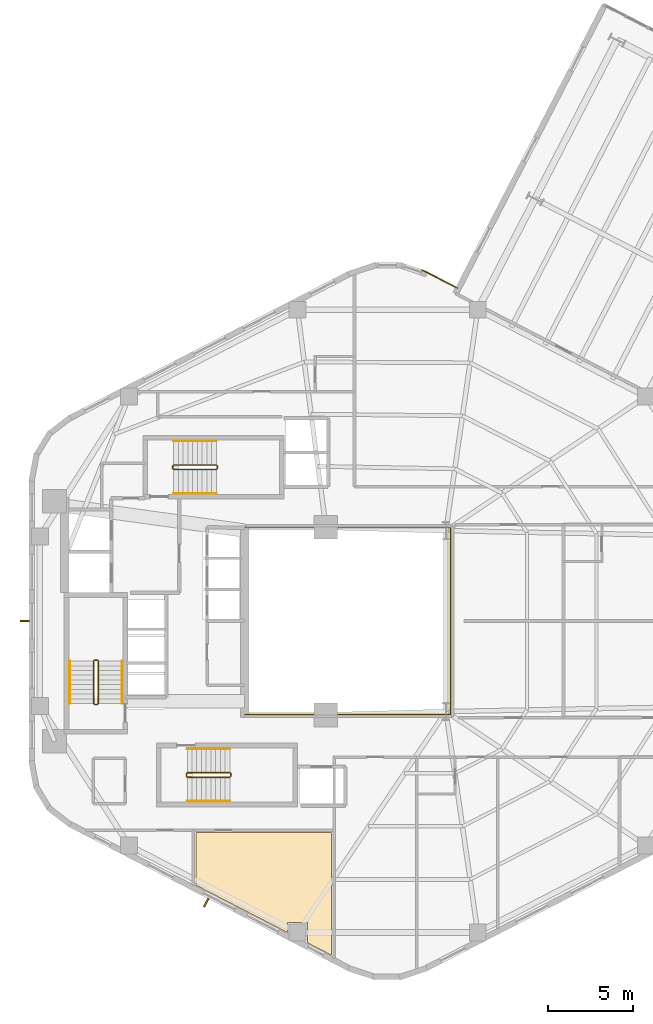
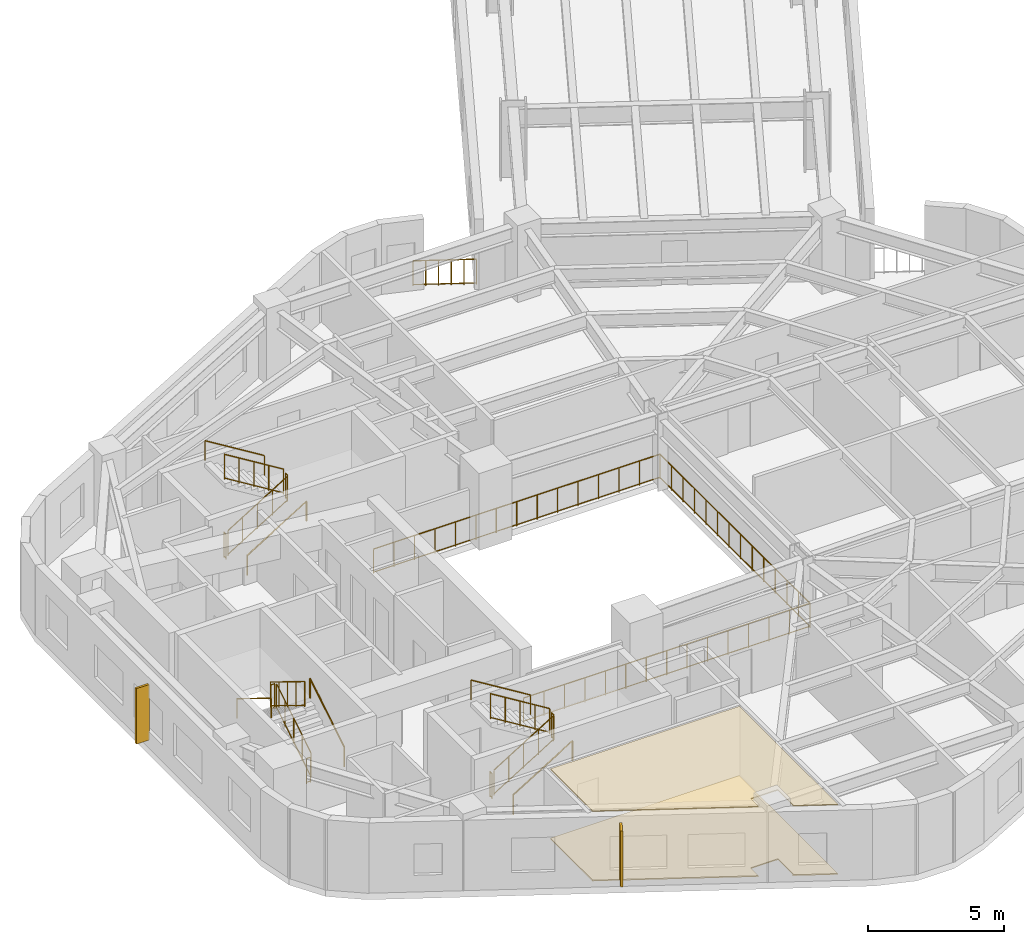
# One storey, part 9 of 10: 20 railings, 2 coverings, 2 shading devices.
"""IFC4 building model written with IfcOpenShell, lengths in metres."""

from ifc_helpers import new_model, si_unit, direction, frame, origin, origin_2d, place, context, subcontext, project, spatial, polyline, rectangle, circle, outline, extrude, material, layer, layer_set, type_object, element, save


model = new_model("IFC4")

# Units and contexts
model_context = context("Model", 3, precision=1e-05, world=origin(), true_north=direction((0.0, 1.0)))
body_context = subcontext(model_context, "Body", "Model", "MODEL_VIEW")
ifc_project = project(units=[si_unit("LENGTHUNIT", "METRE"), si_unit("AREAUNIT", "SQUARE_METRE"), si_unit("VOLUMEUNIT", "CUBIC_METRE"), si_unit("PLANEANGLEUNIT", "RADIAN"), si_unit("MASSUNIT", "GRAM", prefix="KILO"), si_unit("THERMODYNAMICTEMPERATUREUNIT", "KELVIN"), si_unit("POWERUNIT", "WATT")], contexts=[model_context])

# Site, building, storey
site_placement = place(None, origin())
site = spatial("IfcSite", under=ifc_project, at=site_placement, CompositionType="ELEMENT")
building_placement = place(site_placement, origin())
building = spatial("IfcBuilding", under=site, at=building_placement, Name="Skarre Station Tower", CompositionType="ELEMENT")
storey_placement = place(building_placement, frame((0.0, 0.0, 115.35009765625)))
storey = spatial("IfcBuildingStorey", under=building, at=storey_placement, Name="L30", CompositionType="ELEMENT", Elevation=115.35009765625)

# Railing
ifc_material_1 = material(Name="Bronze Anodized Steel & Laminated Glass Balustrade", Category="steel")
railing_type_1 = type_object("IfcRailingType", Name="Atrium Void & Mezzanine Guard Balustrade 1120", PredefinedType="GUARDRAIL", material=ifc_material_1)
railing_1_placement = place(storey_placement, frame((27.550048828125, 18.47998046875, 0.0)))
element("IfcRailing", 1, at=railing_1_placement, inside=storey, type_object=railing_type_1, Name="L30 Atrium Void Guard Balustrade", PredefinedType="GUARDRAIL", context=body_context, shape_type="SweptSolid", body=[
    extrude(circle(Radius=0.02392578125, at=origin_2d()), frame((0.0, 0.0, 1.09619140625), z_axis=(1.0, 0.0, 0.0), x_axis=(0.0, 1.0, 0.0)), (0.0, 0.0, 1.0), 12.169921875),
    extrude(circle(Radius=0.02099609375, at=origin_2d()), frame((0.0, 0.0, 0.06005859375), z_axis=(1.0, 0.0, 0.0), x_axis=(0.0, 1.0, 0.0)), (0.0, 0.0, 1.0), 12.169921875),
    extrude(circle(Radius=0.02392578125, at=origin_2d()), frame((12.169921875, 0.0, 1.09619140625), z_axis=(0.0, 1.0, 0.0), x_axis=(-1.0, 0.0, 0.0)), (0.0, 0.0, 1.0), 11.0400390625),
    extrude(circle(Radius=0.02099609375, at=origin_2d()), frame((12.169921875, 0.0, 0.06005859375), z_axis=(0.0, 1.0, 0.0), x_axis=(-1.0, 0.0, 0.0)), (0.0, 0.0, 1.0), 11.0400390625),
    extrude(circle(Radius=0.02392578125, at=origin_2d()), frame((12.169921875, 11.0400390625, 1.09619140625), z_axis=(-1.0, 0.0, 0.0), x_axis=(0.0, -1.0, 0.0)), (0.0, 0.0, 1.0), 12.169921875),
    extrude(circle(Radius=0.02099609375, at=origin_2d()), frame((12.169921875, 11.0400390625, 0.06005859375), z_axis=(-1.0, 0.0, 0.0), x_axis=(0.0, -1.0, 0.0)), (0.0, 0.0, 1.0), 12.169921875),
    extrude(circle(Radius=0.02099609375, at=origin_2d()), origin(), (0.0, 0.0, 1.0), 1.072021484375),
    extrude(circle(Radius=0.02099609375, at=origin_2d()), frame((0.869384765625, 0.0, 0.0)), (0.0, 0.0, 1.0), 1.072021484375),
    extrude(circle(Radius=0.02099609375, at=origin_2d()), frame((1.738525390625, 0.0, 0.0)), (0.0, 0.0, 1.0), 1.072021484375),
    extrude(circle(Radius=0.02099609375, at=origin_2d()), frame((2.60791015625, 0.0, 0.0)), (0.0, 0.0, 1.0), 1.072021484375),
    extrude(circle(Radius=0.02099609375, at=origin_2d()), frame((3.47705078125, 0.0, 0.0)), (0.0, 0.0, 1.0), 1.072021484375),
    extrude(circle(Radius=0.02099609375, at=origin_2d()), frame((4.346435546875, 0.0, 0.0)), (0.0, 0.0, 1.0), 1.072021484375),
    extrude(circle(Radius=0.02099609375, at=origin_2d()), frame((5.215576171875, 0.0, 0.0)), (0.0, 0.0, 1.0), 1.072021484375),
    extrude(circle(Radius=0.02099609375, at=origin_2d()), frame((6.0849609375, 0.0, 0.0)), (0.0, 0.0, 1.0), 1.072021484375),
    extrude(circle(Radius=0.02099609375, at=origin_2d()), frame((6.954345703125, 0.0, 0.0)), (0.0, 0.0, 1.0), 1.072021484375),
    extrude(circle(Radius=0.02099609375, at=origin_2d()), frame((7.823486328125, 0.0, 0.0)), (0.0, 0.0, 1.0), 1.072021484375),
    extrude(circle(Radius=0.02099609375, at=origin_2d()), frame((8.69287109375, 0.0, 0.0)), (0.0, 0.0, 1.0), 1.072021484375),
    extrude(circle(Radius=0.02099609375, at=origin_2d()), frame((9.56201171875, 0.0, 0.0)), (0.0, 0.0, 1.0), 1.072021484375),
    extrude(circle(Radius=0.02099609375, at=origin_2d()), frame((10.431396484375, 0.0, 0.0)), (0.0, 0.0, 1.0), 1.072021484375),
    extrude(circle(Radius=0.02099609375, at=origin_2d()), frame((11.300537109375, 0.0, 0.0)), (0.0, 0.0, 1.0), 1.072021484375),
    extrude(circle(Radius=0.02099609375, at=origin_2d()), frame((12.169921875, 0.0, 0.0)), (0.0, 0.0, 1.0), 1.072021484375),
    extrude(circle(Radius=0.02099609375, at=origin_2d()), frame((12.169921875, 0.84912109375, 0.0)), (0.0, 0.0, 1.0), 1.072021484375),
    extrude(circle(Radius=0.02099609375, at=origin_2d()), frame((12.169921875, 1.698486328125, 0.0)), (0.0, 0.0, 1.0), 1.072021484375),
    extrude(circle(Radius=0.02099609375, at=origin_2d()), frame((12.169921875, 2.547607421875, 0.0)), (0.0, 0.0, 1.0), 1.072021484375),
    extrude(circle(Radius=0.02099609375, at=origin_2d()), frame((12.169921875, 3.39697265625, 0.0)), (0.0, 0.0, 1.0), 1.072021484375),
    extrude(circle(Radius=0.02099609375, at=origin_2d()), frame((12.169921875, 4.24609375, 0.0)), (0.0, 0.0, 1.0), 1.072021484375),
    extrude(circle(Radius=0.02099609375, at=origin_2d()), frame((12.169921875, 5.095458984375, 0.0)), (0.0, 0.0, 1.0), 1.072021484375),
    extrude(circle(Radius=0.02099609375, at=origin_2d()), frame((12.169921875, 5.944580078125, 0.0)), (0.0, 0.0, 1.0), 1.072021484375),
    extrude(circle(Radius=0.02099609375, at=origin_2d()), frame((12.169921875, 6.7939453125, 0.0)), (0.0, 0.0, 1.0), 1.072021484375),
    extrude(circle(Radius=0.02099609375, at=origin_2d()), frame((12.169921875, 7.64306640625, 0.0)), (0.0, 0.0, 1.0), 1.072021484375),
    extrude(circle(Radius=0.02099609375, at=origin_2d()), frame((12.169921875, 8.492431640625, 0.0)), (0.0, 0.0, 1.0), 1.072021484375),
    extrude(circle(Radius=0.02099609375, at=origin_2d()), frame((12.169921875, 9.341552734375, 0.0)), (0.0, 0.0, 1.0), 1.072021484375),
    extrude(circle(Radius=0.02099609375, at=origin_2d()), frame((12.169921875, 10.19091796875, 0.0)), (0.0, 0.0, 1.0), 1.072021484375),
    extrude(circle(Radius=0.02099609375, at=origin_2d()), frame((12.169921875, 11.0400390625, 0.0)), (0.0, 0.0, 1.0), 1.072021484375),
    extrude(circle(Radius=0.02099609375, at=origin_2d()), frame((11.300537109375, 11.0400390625, 0.0)), (0.0, 0.0, 1.0), 1.072021484375),
    extrude(circle(Radius=0.02099609375, at=origin_2d()), frame((10.431396484375, 11.0400390625, 0.0)), (0.0, 0.0, 1.0), 1.072021484375),
    extrude(circle(Radius=0.02099609375, at=origin_2d()), frame((9.56201171875, 11.0400390625, 0.0)), (0.0, 0.0, 1.0), 1.072021484375),
    extrude(circle(Radius=0.02099609375, at=origin_2d()), frame((8.69287109375, 11.0400390625, 0.0)), (0.0, 0.0, 1.0), 1.072021484375),
    extrude(circle(Radius=0.02099609375, at=origin_2d()), frame((7.823486328125, 11.0400390625, 0.0)), (0.0, 0.0, 1.0), 1.072021484375),
    extrude(circle(Radius=0.02099609375, at=origin_2d()), frame((6.954345703125, 11.0400390625, 0.0)), (0.0, 0.0, 1.0), 1.072021484375),
    extrude(circle(Radius=0.02099609375, at=origin_2d()), frame((6.0849609375, 11.0400390625, 0.0)), (0.0, 0.0, 1.0), 1.072021484375),
    extrude(circle(Radius=0.02099609375, at=origin_2d()), frame((5.215576171875, 11.0400390625, 0.0)), (0.0, 0.0, 1.0), 1.072021484375),
    extrude(circle(Radius=0.02099609375, at=origin_2d()), frame((4.346435546875, 11.0400390625, 0.0)), (0.0, 0.0, 1.0), 1.072021484375),
    extrude(circle(Radius=0.02099609375, at=origin_2d()), frame((3.47705078125, 11.0400390625, 0.0)), (0.0, 0.0, 1.0), 1.072021484375),
    extrude(circle(Radius=0.02099609375, at=origin_2d()), frame((2.60791015625, 11.0400390625, 0.0)), (0.0, 0.0, 1.0), 1.072021484375),
    extrude(circle(Radius=0.02099609375, at=origin_2d()), frame((1.738525390625, 11.0400390625, 0.0)), (0.0, 0.0, 1.0), 1.072021484375),
    extrude(circle(Radius=0.02099609375, at=origin_2d()), frame((0.869384765625, 11.0400390625, 0.0)), (0.0, 0.0, 1.0), 1.072021484375),
    extrude(circle(Radius=0.02099609375, at=origin_2d()), frame((0.0, 11.0400390625, 0.0)), (0.0, 0.0, 1.0), 1.072021484375),
])

# Covering
ifc_material_2 = material(Name="Honed Jura Limestone & Calcium-Sulfate Access Tile", Category="masonry")
ifc_layer_1 = layer(ifc_material_2, 0.050048828125, Name="Honed Jura Limestone & Calcium-Sulfate Access Tile")
ifc_layer_set_1 = layer_set([ifc_layer_1], Name="Honed Jura Limestone & Calcium-Sulfate Access Tile")
covering_type_1 = type_object("IfcCoveringType", Name="Honed Limestone & Raised Access Floor Finish 50", PredefinedType="FLOORING", material=ifc_layer_set_1)
covering_1_placement = place(storey_placement, origin())
element("IfcCovering", 2, at=covering_1_placement, inside=storey, type_object=covering_type_1, Name="L30 Limestone Access Flooring 1", PredefinedType="FLOORING", context=body_context, shape_type="SweptSolid", body=[
    extrude(outline(polyline([(24.659912109375, 8.3798828125), (30.089111328125, 5.577880859375), (30.089111328125, 6.162109375), (31.2490234375, 6.162109375), (31.2490234375, 5.001953125), (31.205078125, 5.001953125), (32.68994140625, 4.235107421875), (32.68994140625, 11.5), (24.659912109375, 11.5), (24.659912109375, 8.3798828125)])), origin(), (0.0, 0.0, 1.0), 0.0498046875),
])

# Railing
ifc_material_3 = material(Name="Stainless Steel Grade 316L & Laminated Safety Glass", Category="steel")
railing_type_2 = type_object("IfcRailingType", Name="Laminated Glass & Stainless Terrace Guardrail 1150", PredefinedType="BALUSTRADE", material=ifc_material_3)
railing_2_placement = place(storey_placement, frame((38.032958984375, 44.77294921875, 0.0)))
element("IfcRailing", 3, at=railing_2_placement, inside=storey, type_object=railing_type_2, Name="L30 SB-2 Shoulder Ledge Guardrail 1", PredefinedType="BALUSTRADE", context=body_context, shape_type="SweptSolid", body=[
    extrude(circle(Radius=0.02392578125, at=origin_2d()), frame((0.0, 0.0, 1.1259765625), z_axis=(0.888564539427, -0.458751631356, 0.0), x_axis=(0.458751631356, 0.888564539427, 0.0)), (0.0, 0.0, 1.0), 2.345458984375),
    extrude(circle(Radius=0.02099609375, at=origin_2d()), frame((0.0, 0.0, 0.06005859375), z_axis=(0.888564539427, -0.458751631356, 0.0), x_axis=(0.458751631356, 0.888564539427, 0.0)), (0.0, 0.0, 1.0), 2.345458984375),
    extrude(circle(Radius=0.02099609375, at=origin_2d()), origin(), (0.0, 0.0, 1.0), 1.101806640625),
    extrude(circle(Radius=0.02099609375, at=origin_2d()), frame((0.416748046875, -0.215087890625, 0.0)), (0.0, 0.0, 1.0), 1.101806640625),
    extrude(circle(Radius=0.02099609375, at=origin_2d()), frame((0.83349609375, -0.430419921875, 0.0)), (0.0, 0.0, 1.0), 1.101806640625),
    extrude(circle(Radius=0.02099609375, at=origin_2d()), frame((1.25048828125, -0.6455078125, 0.0)), (0.0, 0.0, 1.0), 1.101806640625),
    extrude(circle(Radius=0.02099609375, at=origin_2d()), frame((1.667236328125, -0.86083984375, 0.0)), (0.0, 0.0, 1.0), 1.101806640625),
    extrude(circle(Radius=0.02099609375, at=origin_2d()), frame((2.083984375, -1.075927734375, 0.0)), (0.0, 0.0, 1.0), 1.101806640625),
])

# Covering
ifc_material_4 = material(Name="Perforated Nordic Birch Veneer & Mineral Wool", Category="wood")
ifc_layer_2 = layer(ifc_material_4, 0.044921875, Name="Perforated Nordic Birch Veneer & Mineral Wool")
ifc_layer_set_2 = layer_set([ifc_layer_2], Name="Perforated Nordic Birch Veneer & Mineral Wool")
covering_type_2 = type_object("IfcCoveringType", Name="Nordic Birch Slatted Acoustic Suspended Ceiling 45", PredefinedType="CEILING", material=ifc_layer_set_2)
covering_2_placement = place(storey_placement, frame((0.0, 0.0, 3.114990234375)))
element("IfcCovering", 4, at=covering_2_placement, inside=storey, type_object=covering_type_2, Name="L30 Acoustic Birch Ceiling 1", PredefinedType="CEILING", context=body_context, shape_type="SweptSolid", body=[
    extrude(outline(polyline([(24.659912109375, 8.3798828125), (30.089111328125, 5.577880859375), (30.089111328125, 6.162109375), (31.2490234375, 6.162109375), (31.2490234375, 5.001953125), (31.205078125, 5.001953125), (32.68994140625, 4.235107421875), (32.68994140625, 11.5), (24.659912109375, 11.5), (24.659912109375, 8.3798828125)])), origin(), (0.0, 0.0, 1.0), 0.044921875),
])

# Shading devices
ifc_material_5 = material(Name="Bronze Anodized Extruded Aluminium 6063-T6", Category="aluminium")
shading_device_type = type_object("IfcShadingDeviceType", Name="Nordic Bronze Vertical Solar Fin 550x90", PredefinedType="SHUTTER", material=ifc_material_5)
for number, where, z_axis, x_axis, name in (
    (5, (14.531982421875, 24.0, 0.349853515625), (0.0, 0.0, 1.0), (-1.0, 0.0, 0.0), "L30 Facet 2 Bronze Solar Fin"),
    (6, (25.27587890625, 7.35302734375, 0.349853515625), (0.0, 0.0, 1.0), (-0.458649554484, -0.888617232655, 0.0), "L30 Facet 3 Bronze Solar Fin"),
):
    element("IfcShadingDevice", number, at=place(storey_placement, frame(where, z_axis=z_axis, x_axis=x_axis)), inside=storey, type_object=shading_device_type, Name=name, PredefinedType="SHUTTER", context=body_context, shape_type="SweptSolid", body=[
        extrude(rectangle(XDim=0.550048828125, YDim=0.090087890625, at=origin_2d()), origin(), (0.0, 0.0, 1.0), 2.5),
    ])

# Railings
ifc_material_6 = material(Name="Powder-Coated Tubular Steel", Category="steel")
railing_type_3 = type_object("IfcRailingType", Name="Painted Steel Ramp & Stair Handrail 920", PredefinedType="HANDRAIL", material=ifc_material_6)
railing_3_placement = place(storey_placement, frame((20.300048828125, 19.1201171875, 0.17236328125)))
element("IfcRailing", 7, at=railing_3_placement, inside=storey, type_object=railing_type_3, Name="L30 ST-1 stair handrail 1", PredefinedType="HANDRAIL", context=body_context, shape_type="SweptSolid", body=[
    extrude(circle(Radius=0.02392578125, at=origin_2d()), frame((0.0, 0.0, 0.8759765625), z_axis=(0.0, 0.851377800117, 0.52455299205), x_axis=(-1.0, 0.0, 0.0)), (0.0, 0.0, 1.0), 2.959716796875),
    extrude(circle(Radius=0.02099609375, at=origin_2d()), origin(), (0.0, 0.0, 1.0), 0.851806640625),
    extrude(circle(Radius=0.02099609375, at=origin_2d()), frame((0.0, 2.519775390625, 1.552490234375)), (0.0, 0.0, 1.0), 0.851806640625),
])
railing_4_placement = place(storey_placement, frame((17.199951171875, 21.639892578125, 1.8974609375)))
element("IfcRailing", 8, at=railing_4_placement, inside=storey, type_object=railing_type_3, Name="L30 ST-1 stair handrail 2", PredefinedType="HANDRAIL", context=body_context, shape_type="SweptSolid", body=[
    extrude(circle(Radius=0.02392578125, at=origin_2d()), frame((0.0, 0.0, 0.8759765625), z_axis=(0.0, -0.851377800117, 0.52455299205), x_axis=(1.0, 0.0, 0.0)), (0.0, 0.0, 1.0), 2.959716796875),
    extrude(circle(Radius=0.02099609375, at=origin_2d()), origin(), (0.0, 0.0, 1.0), 0.851806640625),
    extrude(circle(Radius=0.02099609375, at=origin_2d()), frame((0.0, -2.519775390625, 1.552490234375)), (0.0, 0.0, 1.0), 0.851806640625),
])
railing_5_placement = place(storey_placement, frame((24.14990234375, 13.35009765625, 0.17236328125)))
element("IfcRailing", 9, at=railing_5_placement, inside=storey, type_object=railing_type_3, Name="L30 ST-2 stair handrail 1", PredefinedType="HANDRAIL", context=body_context, shape_type="SweptSolid", body=[
    extrude(circle(Radius=0.02392578125, at=origin_2d()), frame((0.0, 0.0, 0.8759765625), z_axis=(0.851400495292, 0.0, 0.524516154772), x_axis=(0.0, 1.0, 0.0)), (0.0, 0.0, 1.0), 2.9599609375),
    extrude(circle(Radius=0.02099609375, at=origin_2d()), origin(), (0.0, 0.0, 1.0), 0.851806640625),
    extrude(circle(Radius=0.02099609375, at=origin_2d()), frame((2.52001953125, 0.0, 1.552490234375)), (0.0, 0.0, 1.0), 0.851806640625),
])
railing_6_placement = place(storey_placement, frame((26.669921875, 16.449951171875, 1.8974609375)))
element("IfcRailing", 10, at=railing_6_placement, inside=storey, type_object=railing_type_3, Name="L30 ST-2 stair handrail 2", PredefinedType="HANDRAIL", context=body_context, shape_type="SweptSolid", body=[
    extrude(circle(Radius=0.02392578125, at=origin_2d()), frame((0.0, 0.0, 0.8759765625), z_axis=(-0.851400495292, 0.0, 0.524516154772), x_axis=(0.0, -1.0, 0.0)), (0.0, 0.0, 1.0), 2.9599609375),
    extrude(circle(Radius=0.02099609375, at=origin_2d()), origin(), (0.0, 0.0, 1.0), 0.851806640625),
    extrude(circle(Radius=0.02099609375, at=origin_2d()), frame((-2.52001953125, 0.0, 1.552490234375)), (0.0, 0.0, 1.0), 0.851806640625),
])
railing_7_placement = place(storey_placement, frame((23.35009765625, 31.550048828125, 0.17236328125)))
element("IfcRailing", 11, at=railing_7_placement, inside=storey, type_object=railing_type_3, Name="L30 ST-3 stair handrail 1", PredefinedType="HANDRAIL", context=body_context, shape_type="SweptSolid", body=[
    extrude(circle(Radius=0.02392578125, at=origin_2d()), frame((0.0, 0.0, 0.8759765625), z_axis=(0.851400495292, 0.0, 0.524516154772), x_axis=(0.0, 1.0, 0.0)), (0.0, 0.0, 1.0), 2.9599609375),
    extrude(circle(Radius=0.02099609375, at=origin_2d()), origin(), (0.0, 0.0, 1.0), 0.851806640625),
    extrude(circle(Radius=0.02099609375, at=origin_2d()), frame((2.52001953125, 0.0, 1.552490234375)), (0.0, 0.0, 1.0), 0.851806640625),
])
railing_8_placement = place(storey_placement, frame((25.8701171875, 34.64990234375, 1.8974609375)))
element("IfcRailing", 12, at=railing_8_placement, inside=storey, type_object=railing_type_3, Name="L30 ST-3 stair handrail 2", PredefinedType="HANDRAIL", context=body_context, shape_type="SweptSolid", body=[
    extrude(circle(Radius=0.02392578125, at=origin_2d()), frame((0.0, 0.0, 0.8759765625), z_axis=(-0.851400495292, 0.0, 0.524516154772), x_axis=(0.0, -1.0, 0.0)), (0.0, 0.0, 1.0), 2.9599609375),
    extrude(circle(Radius=0.02099609375, at=origin_2d()), origin(), (0.0, 0.0, 1.0), 0.851806640625),
    extrude(circle(Radius=0.02099609375, at=origin_2d()), frame((-2.52001953125, 0.0, 1.552490234375)), (0.0, 0.0, 1.0), 0.851806640625),
])
railing_type_4 = type_object("IfcRailingType", Name="Painted Steel Stairwell Guardrail 1100", PredefinedType="GUARDRAIL", material=ifc_material_6)
railing_9_placement = place(storey_placement, frame((18.8798828125, 19.1201171875, 0.17236328125)))
element("IfcRailing", 13, at=railing_9_placement, inside=storey, type_object=railing_type_4, Name="L30 ST-1 stair guard 1", PredefinedType="GUARDRAIL", context=body_context, shape_type="SweptSolid", body=[
    extrude(circle(Radius=0.02392578125, at=origin_2d()), frame((0.0, 0.0, 1.1259765625), z_axis=(0.0, 0.851377800117, 0.52455299205), x_axis=(-1.0, 0.0, 0.0)), (0.0, 0.0, 1.0), 2.959716796875),
    extrude(circle(Radius=0.02099609375, at=origin_2d()), frame((0.0, 0.0, 0.06005859375), z_axis=(0.0, 0.851377800117, 0.52455299205), x_axis=(-1.0, 0.0, 0.0)), (0.0, 0.0, 1.0), 2.959716796875),
    extrude(circle(Radius=0.02099609375, at=origin_2d()), origin(), (0.0, 0.0, 1.0), 1.101806640625),
    extrude(circle(Radius=0.02099609375, at=origin_2d()), frame((0.0, 0.6298828125, 0.38818359375)), (0.0, 0.0, 1.0), 1.101806640625),
    extrude(circle(Radius=0.02099609375, at=origin_2d()), frame((0.0, 1.259765625, 0.7763671875)), (0.0, 0.0, 1.0), 1.101806640625),
    extrude(circle(Radius=0.02099609375, at=origin_2d()), frame((0.0, 1.889892578125, 1.164306640625)), (0.0, 0.0, 1.0), 1.101806640625),
    extrude(circle(Radius=0.02099609375, at=origin_2d()), frame((0.0, 2.519775390625, 1.552490234375)), (0.0, 0.0, 1.0), 1.101806640625),
])
railing_10_placement = place(storey_placement, frame((18.830078125, 21.68994140625, 1.724853515625)))
element("IfcRailing", 14, at=railing_10_placement, inside=storey, type_object=railing_type_4, Name="L30 ST-1 stair guard 2", PredefinedType="GUARDRAIL", context=body_context, shape_type="SweptSolid", body=[
    extrude(circle(Radius=0.02392578125, at=origin_2d()), frame((0.0, 0.0, 1.1259765625), z_axis=(-1.0, 0.0, 0.0), x_axis=(0.0, -1.0, 0.0)), (0.0, 0.0, 1.0), 0.16015625),
    extrude(circle(Radius=0.02099609375, at=origin_2d()), frame((0.0, 0.0, 0.06005859375), z_axis=(-1.0, 0.0, 0.0), x_axis=(0.0, -1.0, 0.0)), (0.0, 0.0, 1.0), 0.16015625),
    extrude(circle(Radius=0.02099609375, at=origin_2d()), origin(), (0.0, 0.0, 1.0), 1.101806640625),
    extrude(circle(Radius=0.02099609375, at=origin_2d()), frame((-0.16015625, 0.0, 0.0)), (0.0, 0.0, 1.0), 1.101806640625),
])
railing_11_placement = place(storey_placement, frame((18.6201171875, 21.639892578125, 1.8974609375)))
element("IfcRailing", 15, at=railing_11_placement, inside=storey, type_object=railing_type_4, Name="L30 ST-1 stair guard 3", PredefinedType="GUARDRAIL", context=body_context, shape_type="SweptSolid", body=[
    extrude(circle(Radius=0.02392578125, at=origin_2d()), frame((0.0, 0.0, 1.1259765625), z_axis=(0.0, -0.851377800117, 0.52455299205), x_axis=(1.0, 0.0, 0.0)), (0.0, 0.0, 1.0), 2.959716796875),
    extrude(circle(Radius=0.02099609375, at=origin_2d()), frame((0.0, 0.0, 0.06005859375), z_axis=(0.0, -0.851377800117, 0.52455299205), x_axis=(1.0, 0.0, 0.0)), (0.0, 0.0, 1.0), 2.959716796875),
    extrude(circle(Radius=0.02099609375, at=origin_2d()), origin(), (0.0, 0.0, 1.0), 1.101806640625),
    extrude(circle(Radius=0.02099609375, at=origin_2d()), frame((0.0, -0.6298828125, 0.38818359375)), (0.0, 0.0, 1.0), 1.101806640625),
    extrude(circle(Radius=0.02099609375, at=origin_2d()), frame((0.0, -1.259765625, 0.7763671875)), (0.0, 0.0, 1.0), 1.101806640625),
    extrude(circle(Radius=0.02099609375, at=origin_2d()), frame((0.0, -1.889892578125, 1.164306640625)), (0.0, 0.0, 1.0), 1.101806640625),
    extrude(circle(Radius=0.02099609375, at=origin_2d()), frame((0.0, -2.519775390625, 1.552490234375)), (0.0, 0.0, 1.0), 1.101806640625),
])
railing_12_placement = place(storey_placement, frame((18.830078125, 19.070068359375, 0.0)))
element("IfcRailing", 16, at=railing_12_placement, inside=storey, type_object=railing_type_4, Name="L30 ST-1 stair guard 4", PredefinedType="GUARDRAIL", context=body_context, shape_type="SweptSolid", body=[
    extrude(circle(Radius=0.02392578125, at=origin_2d()), frame((0.0, 0.0, 1.1259765625), z_axis=(-1.0, 0.0, 0.0), x_axis=(0.0, -1.0, 0.0)), (0.0, 0.0, 1.0), 0.16015625),
    extrude(circle(Radius=0.02099609375, at=origin_2d()), frame((0.0, 0.0, 0.06005859375), z_axis=(-1.0, 0.0, 0.0), x_axis=(0.0, -1.0, 0.0)), (0.0, 0.0, 1.0), 0.16015625),
    extrude(circle(Radius=0.02099609375, at=origin_2d()), origin(), (0.0, 0.0, 1.0), 1.101806640625),
    extrude(circle(Radius=0.02099609375, at=origin_2d()), frame((-0.16015625, 0.0, 0.0)), (0.0, 0.0, 1.0), 1.101806640625),
])
railing_13_placement = place(storey_placement, frame((24.14990234375, 14.77001953125, 0.17236328125)))
element("IfcRailing", 17, at=railing_13_placement, inside=storey, type_object=railing_type_4, Name="L30 ST-2 stair guard 1", PredefinedType="GUARDRAIL", context=body_context, shape_type="SweptSolid", body=[
    extrude(circle(Radius=0.02392578125, at=origin_2d()), frame((0.0, 0.0, 1.1259765625), z_axis=(0.851400495292, 0.0, 0.524516154772), x_axis=(0.0, 1.0, 0.0)), (0.0, 0.0, 1.0), 2.9599609375),
    extrude(circle(Radius=0.02099609375, at=origin_2d()), frame((0.0, 0.0, 0.06005859375), z_axis=(0.851400495292, 0.0, 0.524516154772), x_axis=(0.0, 1.0, 0.0)), (0.0, 0.0, 1.0), 2.9599609375),
    extrude(circle(Radius=0.02099609375, at=origin_2d()), origin(), (0.0, 0.0, 1.0), 1.101806640625),
    extrude(circle(Radius=0.02099609375, at=origin_2d()), frame((0.6298828125, 0.0, 0.38818359375)), (0.0, 0.0, 1.0), 1.101806640625),
    extrude(circle(Radius=0.02099609375, at=origin_2d()), frame((1.260009765625, 0.0, 0.7763671875)), (0.0, 0.0, 1.0), 1.101806640625),
    extrude(circle(Radius=0.02099609375, at=origin_2d()), frame((1.89013671875, 0.0, 1.164306640625)), (0.0, 0.0, 1.0), 1.101806640625),
    extrude(circle(Radius=0.02099609375, at=origin_2d()), frame((2.52001953125, 0.0, 1.552490234375)), (0.0, 0.0, 1.0), 1.101806640625),
])
railing_14_placement = place(storey_placement, frame((26.719970703125, 14.820068359375, 1.724853515625)))
element("IfcRailing", 18, at=railing_14_placement, inside=storey, type_object=railing_type_4, Name="L30 ST-2 stair guard 2", PredefinedType="GUARDRAIL", context=body_context, shape_type="SweptSolid", body=[
    extrude(circle(Radius=0.02392578125, at=origin_2d()), frame((0.0, 0.0, 1.1259765625), z_axis=(0.0, 1.0, 0.0), x_axis=(-1.0, 0.0, 0.0)), (0.0, 0.0, 1.0), 0.159912109375),
    extrude(circle(Radius=0.02099609375, at=origin_2d()), frame((0.0, 0.0, 0.06005859375), z_axis=(0.0, 1.0, 0.0), x_axis=(-1.0, 0.0, 0.0)), (0.0, 0.0, 1.0), 0.159912109375),
    extrude(circle(Radius=0.02099609375, at=origin_2d()), origin(), (0.0, 0.0, 1.0), 1.101806640625),
    extrude(circle(Radius=0.02099609375, at=origin_2d()), frame((0.0, 0.159912109375, 0.0)), (0.0, 0.0, 1.0), 1.101806640625),
])
railing_15_placement = place(storey_placement, frame((26.669921875, 15.030029296875, 1.8974609375)))
element("IfcRailing", 19, at=railing_15_placement, inside=storey, type_object=railing_type_4, Name="L30 ST-2 stair guard 3", PredefinedType="GUARDRAIL", context=body_context, shape_type="SweptSolid", body=[
    extrude(circle(Radius=0.02392578125, at=origin_2d()), frame((0.0, 0.0, 1.1259765625), z_axis=(-0.851400495292, 0.0, 0.524516154772), x_axis=(0.0, -1.0, 0.0)), (0.0, 0.0, 1.0), 2.9599609375),
    extrude(circle(Radius=0.02099609375, at=origin_2d()), frame((0.0, 0.0, 0.06005859375), z_axis=(-0.851400495292, 0.0, 0.524516154772), x_axis=(0.0, -1.0, 0.0)), (0.0, 0.0, 1.0), 2.9599609375),
    extrude(circle(Radius=0.02099609375, at=origin_2d()), origin(), (0.0, 0.0, 1.0), 1.101806640625),
    extrude(circle(Radius=0.02099609375, at=origin_2d()), frame((-0.6298828125, 0.0, 0.38818359375)), (0.0, 0.0, 1.0), 1.101806640625),
    extrude(circle(Radius=0.02099609375, at=origin_2d()), frame((-1.260009765625, 0.0, 0.7763671875)), (0.0, 0.0, 1.0), 1.101806640625),
    extrude(circle(Radius=0.02099609375, at=origin_2d()), frame((-1.89013671875, 0.0, 1.164306640625)), (0.0, 0.0, 1.0), 1.101806640625),
    extrude(circle(Radius=0.02099609375, at=origin_2d()), frame((-2.52001953125, 0.0, 1.552490234375)), (0.0, 0.0, 1.0), 1.101806640625),
])
railing_16_placement = place(storey_placement, frame((24.10009765625, 14.820068359375, 0.0)))
element("IfcRailing", 20, at=railing_16_placement, inside=storey, type_object=railing_type_4, Name="L30 ST-2 stair guard 4", PredefinedType="GUARDRAIL", context=body_context, shape_type="SweptSolid", body=[
    extrude(circle(Radius=0.02392578125, at=origin_2d()), frame((0.0, 0.0, 1.1259765625), z_axis=(0.0, 1.0, 0.0), x_axis=(-1.0, 0.0, 0.0)), (0.0, 0.0, 1.0), 0.159912109375),
    extrude(circle(Radius=0.02099609375, at=origin_2d()), frame((0.0, 0.0, 0.06005859375), z_axis=(0.0, 1.0, 0.0), x_axis=(-1.0, 0.0, 0.0)), (0.0, 0.0, 1.0), 0.159912109375),
    extrude(circle(Radius=0.02099609375, at=origin_2d()), origin(), (0.0, 0.0, 1.0), 1.101806640625),
    extrude(circle(Radius=0.02099609375, at=origin_2d()), frame((0.0, 0.159912109375, 0.0)), (0.0, 0.0, 1.0), 1.101806640625),
])
railing_17_placement = place(storey_placement, frame((23.35009765625, 32.969970703125, 0.17236328125)))
element("IfcRailing", 21, at=railing_17_placement, inside=storey, type_object=railing_type_4, Name="L30 ST-3 stair guard 1", PredefinedType="GUARDRAIL", context=body_context, shape_type="SweptSolid", body=[
    extrude(circle(Radius=0.02392578125, at=origin_2d()), frame((0.0, 0.0, 1.1259765625), z_axis=(0.851400495292, 0.0, 0.524516154772), x_axis=(0.0, 1.0, 0.0)), (0.0, 0.0, 1.0), 2.9599609375),
    extrude(circle(Radius=0.02099609375, at=origin_2d()), frame((0.0, 0.0, 0.06005859375), z_axis=(0.851400495292, 0.0, 0.524516154772), x_axis=(0.0, 1.0, 0.0)), (0.0, 0.0, 1.0), 2.9599609375),
    extrude(circle(Radius=0.02099609375, at=origin_2d()), origin(), (0.0, 0.0, 1.0), 1.101806640625),
    extrude(circle(Radius=0.02099609375, at=origin_2d()), frame((0.6298828125, 0.0, 0.38818359375)), (0.0, 0.0, 1.0), 1.101806640625),
    extrude(circle(Radius=0.02099609375, at=origin_2d()), frame((1.260009765625, 0.0, 0.7763671875)), (0.0, 0.0, 1.0), 1.101806640625),
    extrude(circle(Radius=0.02099609375, at=origin_2d()), frame((1.89013671875, 0.0, 1.164306640625)), (0.0, 0.0, 1.0), 1.101806640625),
    extrude(circle(Radius=0.02099609375, at=origin_2d()), frame((2.52001953125, 0.0, 1.552490234375)), (0.0, 0.0, 1.0), 1.101806640625),
])
railing_18_placement = place(storey_placement, frame((25.919921875, 33.02001953125, 1.724853515625)))
element("IfcRailing", 22, at=railing_18_placement, inside=storey, type_object=railing_type_4, Name="L30 ST-3 stair guard 2", PredefinedType="GUARDRAIL", context=body_context, shape_type="SweptSolid", body=[
    extrude(circle(Radius=0.02392578125, at=origin_2d()), frame((0.0, 0.0, 1.1259765625), z_axis=(0.0, 1.0, 0.0), x_axis=(-1.0, 0.0, 0.0)), (0.0, 0.0, 1.0), 0.159912109375),
    extrude(circle(Radius=0.02099609375, at=origin_2d()), frame((0.0, 0.0, 0.06005859375), z_axis=(0.0, 1.0, 0.0), x_axis=(-1.0, 0.0, 0.0)), (0.0, 0.0, 1.0), 0.159912109375),
    extrude(circle(Radius=0.02099609375, at=origin_2d()), origin(), (0.0, 0.0, 1.0), 1.101806640625),
    extrude(circle(Radius=0.02099609375, at=origin_2d()), frame((0.0, 0.159912109375, 0.0)), (0.0, 0.0, 1.0), 1.101806640625),
])
railing_19_placement = place(storey_placement, frame((25.8701171875, 33.22998046875, 1.8974609375)))
element("IfcRailing", 23, at=railing_19_placement, inside=storey, type_object=railing_type_4, Name="L30 ST-3 stair guard 3", PredefinedType="GUARDRAIL", context=body_context, shape_type="SweptSolid", body=[
    extrude(circle(Radius=0.02392578125, at=origin_2d()), frame((0.0, 0.0, 1.1259765625), z_axis=(-0.851400495292, 0.0, 0.524516154772), x_axis=(0.0, -1.0, 0.0)), (0.0, 0.0, 1.0), 2.9599609375),
    extrude(circle(Radius=0.02099609375, at=origin_2d()), frame((0.0, 0.0, 0.06005859375), z_axis=(-0.851400495292, 0.0, 0.524516154772), x_axis=(0.0, -1.0, 0.0)), (0.0, 0.0, 1.0), 2.9599609375),
    extrude(circle(Radius=0.02099609375, at=origin_2d()), origin(), (0.0, 0.0, 1.0), 1.101806640625),
    extrude(circle(Radius=0.02099609375, at=origin_2d()), frame((-0.6298828125, 0.0, 0.38818359375)), (0.0, 0.0, 1.0), 1.101806640625),
    extrude(circle(Radius=0.02099609375, at=origin_2d()), frame((-1.260009765625, 0.0, 0.7763671875)), (0.0, 0.0, 1.0), 1.101806640625),
    extrude(circle(Radius=0.02099609375, at=origin_2d()), frame((-1.89013671875, 0.0, 1.164306640625)), (0.0, 0.0, 1.0), 1.101806640625),
    extrude(circle(Radius=0.02099609375, at=origin_2d()), frame((-2.52001953125, 0.0, 1.552490234375)), (0.0, 0.0, 1.0), 1.101806640625),
])
railing_20_placement = place(storey_placement, frame((23.300048828125, 33.02001953125, 0.0)))
element("IfcRailing", 24, at=railing_20_placement, inside=storey, type_object=railing_type_4, Name="L30 ST-3 stair guard 4", PredefinedType="GUARDRAIL", context=body_context, shape_type="SweptSolid", body=[
    extrude(circle(Radius=0.02392578125, at=origin_2d()), frame((0.0, 0.0, 1.1259765625), z_axis=(0.0, 1.0, 0.0), x_axis=(-1.0, 0.0, 0.0)), (0.0, 0.0, 1.0), 0.159912109375),
    extrude(circle(Radius=0.02099609375, at=origin_2d()), frame((0.0, 0.0, 0.06005859375), z_axis=(0.0, 1.0, 0.0), x_axis=(-1.0, 0.0, 0.0)), (0.0, 0.0, 1.0), 0.159912109375),
    extrude(circle(Radius=0.02099609375, at=origin_2d()), origin(), (0.0, 0.0, 1.0), 1.101806640625),
    extrude(circle(Radius=0.02099609375, at=origin_2d()), frame((0.0, 0.159912109375, 0.0)), (0.0, 0.0, 1.0), 1.101806640625),
])

save(model, "model.ifc")
